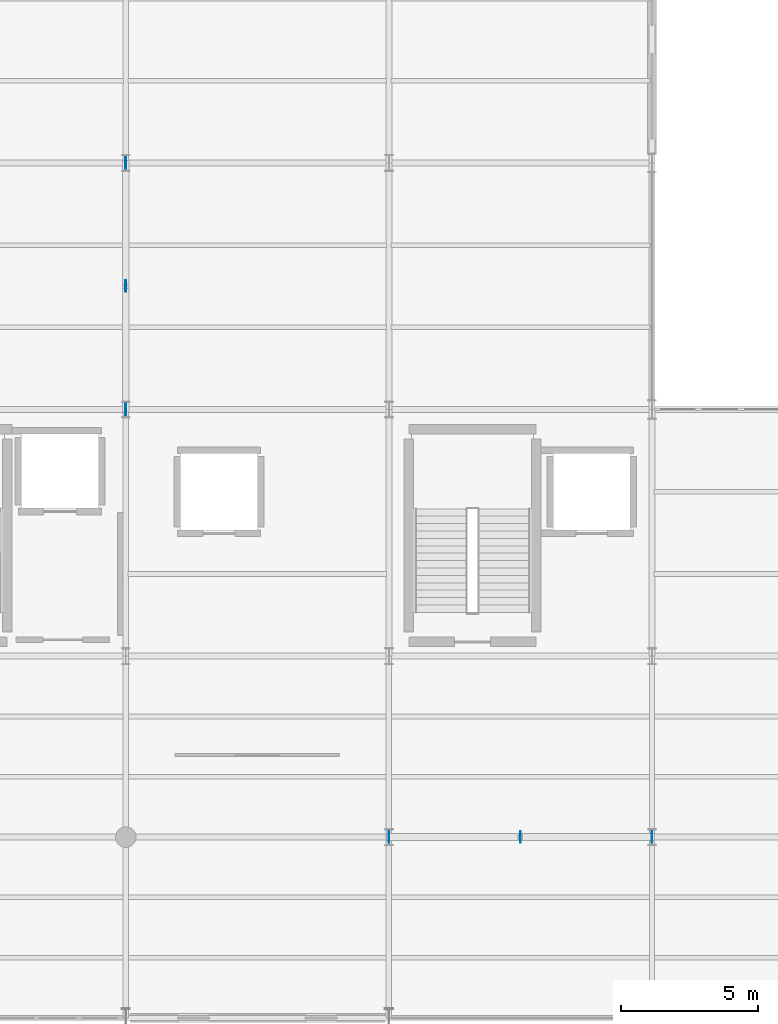
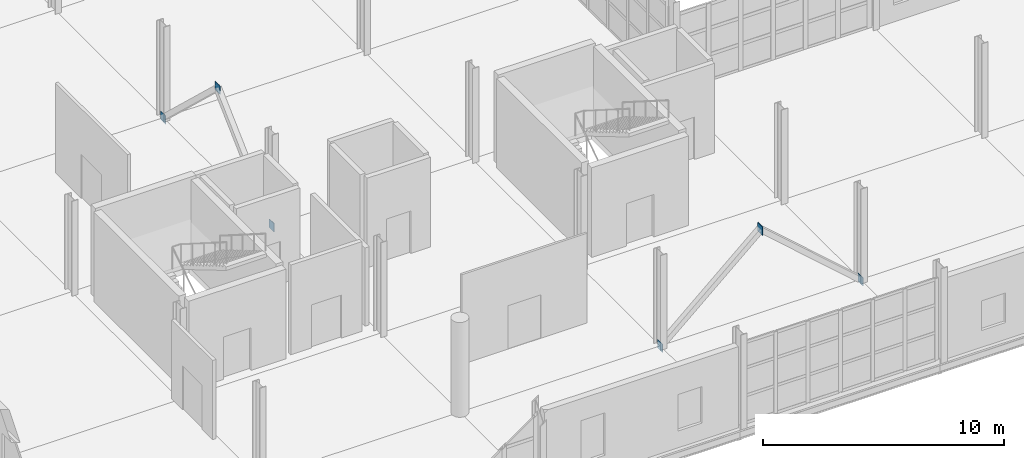
# One storey, part 96 of 120: 6 plates.
"""IFC4 building model written with IfcOpenShell, lengths in metres."""

from ifc_helpers import new_model, si_unit, direction, frame, origin, origin_2d, place, context, subcontext, project, spatial, rectangle, extrude, material, layer, layer_set, type_object, element, save


model = new_model("IFC4")

# Units and contexts
model_context = context("Model", 3, precision=1e-05, world=origin(), true_north=direction((0.0, 1.0)))
body_context = subcontext(model_context, "Body", "Model", "MODEL_VIEW")
ifc_project = project(units=[si_unit("LENGTHUNIT", "METRE"), si_unit("AREAUNIT", "SQUARE_METRE"), si_unit("VOLUMEUNIT", "CUBIC_METRE"), si_unit("PLANEANGLEUNIT", "RADIAN"), si_unit("MASSUNIT", "GRAM", prefix="KILO")], contexts=[model_context])

# Site, building, storey
site_placement = place(None, origin())
site = spatial("IfcSite", under=ifc_project, at=site_placement, CompositionType="ELEMENT")
building_placement = place(site_placement, origin())
building = spatial("IfcBuilding", under=site, at=building_placement, Name="Zarnetskaya Central Station", CompositionType="ELEMENT")
storey_placement = place(building_placement, frame((0.0, 0.0, 5.39990234375)))
storey = spatial("IfcBuildingStorey", under=building, at=storey_placement, Name="L01", CompositionType="ELEMENT", Elevation=5.39990234375)

# Plates
ifc_material = material(Name="Steel S355", Category="steel")
ifc_layer = layer(ifc_material, 0.028076171875, Name="Steel S355", Category="steel")
ifc_layer_set = layer_set([ifc_layer], Name="Steel S355")
plate_type = type_object("IfcPlateType", Name="ND-GUSSET-28", PredefinedType="USERDEFINED", material=ifc_layer_set)
for number, where, z_axis, x_axis, name in (
    (1, (19.199951171875, 22.199951171875, -0.2099609375), (0.0, 0.0, 1.0), (1.0, 0.0, 0.0), "Structural member end gusset plate 116"),
    (2, (19.199951171875, 26.699951171875, 4.030029296875), (0.0, 0.0, 1.0), (1.0, 0.0, 0.0), "Structural member end gusset plate 117"),
    (3, (19.199951171875, 31.199951171875, -0.2099609375), (0.0, 0.0, 1.0), (1.0, 0.0, 0.0), "Structural member end gusset plate 118"),
    (4, (28.800048828125, 6.60009765625, -0.2099609375), (0.0, 0.0, 1.0), (1.0, 0.0, 0.0), "Structural member end gusset plate 128"),
    (5, (33.60009765625, 6.60009765625, 4.030029296875), (0.0, 0.0, 1.0), (1.0, 0.0, 0.0), "Structural member end gusset plate 129"),
    (6, (38.39990234375, 6.60009765625, -0.2099609375), (0.0, 0.0, 1.0), (1.0, 0.0, 0.0), "Structural member end gusset plate 130"),
):
    element("IfcPlate", number, at=place(storey_placement, frame(where, z_axis=z_axis, x_axis=x_axis)), inside=storey, type_object=plate_type, Name=name, ObjectType="GUSSET PLATE", PredefinedType="USERDEFINED", context=body_context, shape_type="SweptSolid", body=[
        extrude(rectangle(XDim=0.028076171875, YDim=0.419921875, at=origin_2d()), origin(), (0.0, 0.0, 1.0), 0.419921875),
    ])

save(model, "model.ifc")
